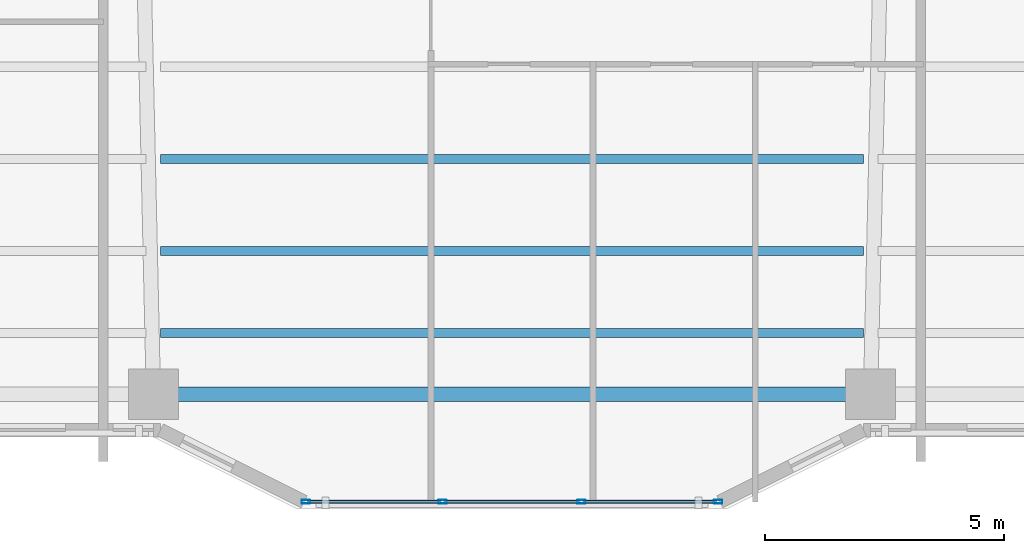
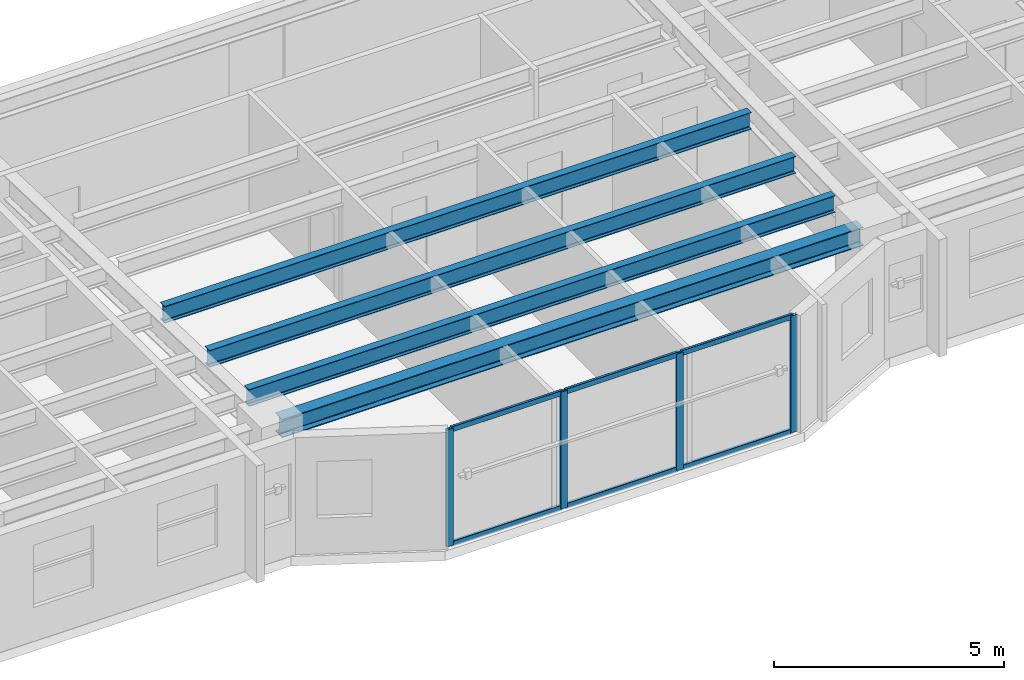
# One storey, part 2 of 19: 10 members, 4 beams, 1 element without a shape of its own.
"""IFC4 building model written with IfcOpenShell, lengths in metres."""

from ifc_helpers import new_model, si_unit, direction, frame, origin, origin_2d, place, context, subcontext, project, spatial, hollow_rectangle, i_section, extrude, material, layer, layer_set, material_profile, profile_set, type_object, element, aggregate, save


model = new_model("IFC4")

# Units and contexts
model_context = context("Model", 3, precision=1e-05, world=origin(), true_north=direction((0.0, 1.0)))
body_context = subcontext(model_context, "Body", "Model", "MODEL_VIEW")
ifc_project = project(units=[si_unit("LENGTHUNIT", "METRE"), si_unit("AREAUNIT", "SQUARE_METRE"), si_unit("VOLUMEUNIT", "CUBIC_METRE"), si_unit("PLANEANGLEUNIT", "RADIAN"), si_unit("MASSUNIT", "GRAM", prefix="KILO")], contexts=[model_context])

# Site, building, storey
site_placement = place(None, origin())
site = spatial("IfcSite", under=ifc_project, at=site_placement, CompositionType="ELEMENT")
building_placement = place(site_placement, origin())
building = spatial("IfcBuilding", under=site, at=building_placement, Name="Tarnavaz Court Tower", CompositionType="ELEMENT")
storey_placement = place(building_placement, frame((0.0, 0.0, 81.64990234375)))
storey = spatial("IfcBuildingStorey", under=building, at=storey_placement, Name="L21", CompositionType="ELEMENT", Elevation=81.64990234375)

# Beams
ifc_material_1 = material(Name="Steel S355", Category="steel")
ifc_material_profile_1 = material_profile(ifc_material_1, i_section(OverallWidth=0.18994140625, OverallDepth=0.449951171875, WebThickness=0.009521484375, FlangeThickness=0.0146484375, FilletRadius=0.02099609375, at=origin_2d()), Name="IPE 450")
ifc_profile_set_1 = profile_set([ifc_material_profile_1], Name="Steel S355")
beam_type_1 = type_object("IfcBeamType", Name="BM-J-IPE450", PredefinedType="JOIST", material=ifc_profile_set_1)
for number, where, z_axis, x_axis, name in (
    (1, (-7.35009765625, -16.3779296875, 2.875), (1.0, 0.0, 0.0), (0.0, 1.0, 0.0), "L21 Beam JS3-2"),
    (2, (-7.35009765625, -18.303955078125, 2.875), (1.0, 0.0, 0.0), (0.0, 1.0, 0.0), "L21 Beam JS4-2"),
    (3, (-7.35009765625, -20.01611328125, 2.875), (1.0, 0.0, 0.0), (0.0, 1.0, 0.0), "L21 Beam JS5-2"),
):
    element("IfcBeam", number, at=place(storey_placement, frame(where, z_axis=z_axis, x_axis=x_axis)), inside=storey, type_object=beam_type_1, Name=name, PredefinedType="JOIST", context=body_context, shape_type="SweptSolid", body=[
        extrude(i_section(OverallWidth=0.18994140625, OverallDepth=0.449951171875, WebThickness=0.009521484375, FlangeThickness=0.0146484375, FilletRadius=0.02099609375, at=origin_2d()), origin(), (0.0, 0.0, 1.0), 14.7001953125),
    ])
ifc_material_profile_2 = material_profile(ifc_material_1, i_section(OverallWidth=0.300048828125, OverallDepth=0.489990234375, WebThickness=0.011962890625, FlangeThickness=0.02294921875, FilletRadius=0.027099609375, at=origin_2d()), Name="HEA 500")
ifc_profile_set_2 = profile_set([ifc_material_profile_2], Name="Steel S355")
beam_type_2 = type_object("IfcBeamType", Name="BM-SP-HEA500", PredefinedType="SPANDREL", material=ifc_profile_set_2)
beam_placement = place(storey_placement, frame((-7.280029296875, -21.300048828125, 2.85498046875), z_axis=(1.0, 0.0, 0.0), x_axis=(0.0, 1.0, 0.0)))
element("IfcBeam", 4, at=beam_placement, inside=storey, type_object=beam_type_2, Name="L21 Beam PR-PS-2-PS-3", PredefinedType="SPANDREL", context=body_context, shape_type="SweptSolid", body=[
    extrude(i_section(OverallWidth=0.300048828125, OverallDepth=0.489990234375, WebThickness=0.011962890625, FlangeThickness=0.02294921875, FilletRadius=0.027099609375, at=origin_2d()), origin(), (0.0, 0.0, 1.0), 14.56005859375),
])

# Curtain wall, members
ifc_material_2 = material(Name="Anodised Aluminium 6063-T6 and Solar Low-E Glazing", Category="aluminium")
ifc_layer = layer(ifc_material_2, 0.179931640625)
ifc_layer_set = layer_set([ifc_layer], Name="Anodised Aluminium 6063-T6 and Solar Low-E Glazing")
curtain_wall_type = type_object("IfcCurtainWallType", Name="CW-SYS-02", PredefinedType="NOTDEFINED", material=ifc_layer_set)
curtain_wall_placement = place(storey_placement, origin())
curtain_wall = element("IfcCurtainWall", 5, at=curtain_wall_placement, inside=storey, type_object=curtain_wall_type, Name="L21 Iwan Prow Curtain Wall 17", PredefinedType="NOTDEFINED")
ifc_material_3 = material(Name="Anodised Aluminium 6063-T6", Category="aluminium")
ifc_material_profile_3 = material_profile(ifc_material_3, hollow_rectangle(XDim=0.074951171875, YDim=0.179931640625, WallThickness=0.0048828125, InnerFilletRadius=0.0048828125, OuterFilletRadius=0.010009765625, at=origin_2d()), Name="ALU RHS 180X75X5")
ifc_profile_set_3 = profile_set([ifc_material_profile_3], Name="Anodised Aluminium 6063-T6")
member_type_1 = type_object("IfcMemberType", Name="CW-MUL-180", PredefinedType="MULLION", material=ifc_profile_set_3)
member_1_placement = place(storey_placement, frame((4.3125, -23.550048828125, 0.0), z_axis=(0.0, 0.0, 1.0), x_axis=(0.0, -1.0, 0.0)))
member_1 = element("IfcMember", 6, at=member_1_placement, type_object=member_type_1, Name="CW mullion 1", PredefinedType="MULLION", context=body_context, shape_type="SweptSolid", body=[
    extrude(hollow_rectangle(XDim=0.074951171875, YDim=0.179931640625, WallThickness=0.0048828125, InnerFilletRadius=0.0048828125, OuterFilletRadius=0.010009765625, at=origin_2d()), origin(), (0.0, 0.0, 1.0), 3.10009765625),
])
member_2_placement = place(storey_placement, frame((1.449951171875, -23.550048828125, 0.0), z_axis=(0.0, 0.0, 1.0), x_axis=(0.0, -1.0, 0.0)))
member_2 = element("IfcMember", 7, at=member_2_placement, type_object=member_type_1, Name="CW mullion 2", PredefinedType="MULLION", context=body_context, shape_type="SweptSolid", body=[
    extrude(hollow_rectangle(XDim=0.074951171875, YDim=0.179931640625, WallThickness=0.0048828125, InnerFilletRadius=0.0048828125, OuterFilletRadius=0.010009765625, at=origin_2d()), origin(), (0.0, 0.0, 1.0), 3.10009765625),
])
member_3_placement = place(storey_placement, frame((-1.449951171875, -23.550048828125, 0.0), z_axis=(0.0, 0.0, 1.0), x_axis=(0.0, -1.0, 0.0)))
member_3 = element("IfcMember", 8, at=member_3_placement, type_object=member_type_1, Name="CW mullion 3", PredefinedType="MULLION", context=body_context, shape_type="SweptSolid", body=[
    extrude(hollow_rectangle(XDim=0.074951171875, YDim=0.179931640625, WallThickness=0.0048828125, InnerFilletRadius=0.0048828125, OuterFilletRadius=0.010009765625, at=origin_2d()), origin(), (0.0, 0.0, 1.0), 3.10009765625),
])
member_4_placement = place(storey_placement, frame((-4.3125, -23.550048828125, 0.0), z_axis=(0.0, 0.0, 1.0), x_axis=(0.0, -1.0, 0.0)))
member_4 = element("IfcMember", 9, at=member_4_placement, type_object=member_type_1, Name="CW mullion 4", PredefinedType="MULLION", context=body_context, shape_type="SweptSolid", body=[
    extrude(hollow_rectangle(XDim=0.074951171875, YDim=0.179931640625, WallThickness=0.0048828125, InnerFilletRadius=0.0048828125, OuterFilletRadius=0.010009765625, at=origin_2d()), origin(), (0.0, 0.0, 1.0), 3.10009765625),
])
ifc_material_profile_4 = material_profile(ifc_material_3, hollow_rectangle(XDim=0.06494140625, YDim=0.139892578125, WallThickness=0.00390625, InnerFilletRadius=0.00390625, OuterFilletRadius=0.008056640625, at=origin_2d()), Name="ALU RHS 140X65X4")
ifc_profile_set_4 = profile_set([ifc_material_profile_4], Name="Anodised Aluminium 6063-T6")
member_type_2 = type_object("IfcMemberType", Name="CW-TRN-140", PredefinedType="USERDEFINED", material=ifc_profile_set_4)
member_5_placement = place(storey_placement, frame((4.27490234375, -23.550048828125, 0.03271484375), z_axis=(-1.0, 0.0, 0.0), x_axis=(0.0, -1.0, 0.0)))
member_5 = element("IfcMember", 10, at=member_5_placement, type_object=member_type_2, Name="CW transom 1.1", ObjectType="TRANSOM", PredefinedType="USERDEFINED", context=body_context, shape_type="SweptSolid", body=[
    extrude(hollow_rectangle(XDim=0.06494140625, YDim=0.139892578125, WallThickness=0.00390625, InnerFilletRadius=0.00390625, OuterFilletRadius=0.008056640625, at=origin_2d()), origin(), (0.0, 0.0, 1.0), 2.787353515625),
])
member_6_placement = place(storey_placement, frame((4.27490234375, -23.550048828125, 3.067626953125), z_axis=(-1.0, 0.0, 0.0), x_axis=(0.0, -1.0, 0.0)))
member_6 = element("IfcMember", 11, at=member_6_placement, type_object=member_type_2, Name="CW transom 1.2", ObjectType="TRANSOM", PredefinedType="USERDEFINED", context=body_context, shape_type="SweptSolid", body=[
    extrude(hollow_rectangle(XDim=0.06494140625, YDim=0.139892578125, WallThickness=0.00390625, InnerFilletRadius=0.00390625, OuterFilletRadius=0.008056640625, at=origin_2d()), origin(), (0.0, 0.0, 1.0), 2.787353515625),
])
member_7_placement = place(storey_placement, frame((1.41259765625, -23.550048828125, 0.03271484375), z_axis=(-1.0, 0.0, 0.0), x_axis=(0.0, -1.0, 0.0)))
member_7 = element("IfcMember", 12, at=member_7_placement, type_object=member_type_2, Name="CW transom 2.1", ObjectType="TRANSOM", PredefinedType="USERDEFINED", context=body_context, shape_type="SweptSolid", body=[
    extrude(hollow_rectangle(XDim=0.06494140625, YDim=0.139892578125, WallThickness=0.00390625, InnerFilletRadius=0.00390625, OuterFilletRadius=0.008056640625, at=origin_2d()), origin(), (0.0, 0.0, 1.0), 2.8251953125),
])
member_8_placement = place(storey_placement, frame((1.41259765625, -23.550048828125, 3.067626953125), z_axis=(-1.0, 0.0, 0.0), x_axis=(0.0, -1.0, 0.0)))
member_8 = element("IfcMember", 13, at=member_8_placement, type_object=member_type_2, Name="CW transom 2.2", ObjectType="TRANSOM", PredefinedType="USERDEFINED", context=body_context, shape_type="SweptSolid", body=[
    extrude(hollow_rectangle(XDim=0.06494140625, YDim=0.139892578125, WallThickness=0.00390625, InnerFilletRadius=0.00390625, OuterFilletRadius=0.008056640625, at=origin_2d()), origin(), (0.0, 0.0, 1.0), 2.8251953125),
])
member_9_placement = place(storey_placement, frame((-1.487548828125, -23.550048828125, 0.03271484375), z_axis=(-1.0, 0.0, 0.0), x_axis=(0.0, -1.0, 0.0)))
member_9 = element("IfcMember", 14, at=member_9_placement, type_object=member_type_2, Name="CW transom 3.1", ObjectType="TRANSOM", PredefinedType="USERDEFINED", context=body_context, shape_type="SweptSolid", body=[
    extrude(hollow_rectangle(XDim=0.06494140625, YDim=0.139892578125, WallThickness=0.00390625, InnerFilletRadius=0.00390625, OuterFilletRadius=0.008056640625, at=origin_2d()), origin(), (0.0, 0.0, 1.0), 2.787353515625),
])
member_10_placement = place(storey_placement, frame((-1.487548828125, -23.550048828125, 3.067626953125), z_axis=(-1.0, 0.0, 0.0), x_axis=(0.0, -1.0, 0.0)))
member_10 = element("IfcMember", 15, at=member_10_placement, type_object=member_type_2, Name="CW transom 3.2", ObjectType="TRANSOM", PredefinedType="USERDEFINED", context=body_context, shape_type="SweptSolid", body=[
    extrude(hollow_rectangle(XDim=0.06494140625, YDim=0.139892578125, WallThickness=0.00390625, InnerFilletRadius=0.00390625, OuterFilletRadius=0.008056640625, at=origin_2d()), origin(), (0.0, 0.0, 1.0), 2.787353515625),
])
aggregate(curtain_wall, [member_1, member_2, member_3, member_4, member_5, member_6, member_7, member_8, member_9, member_10])

save(model, "model.ifc")
